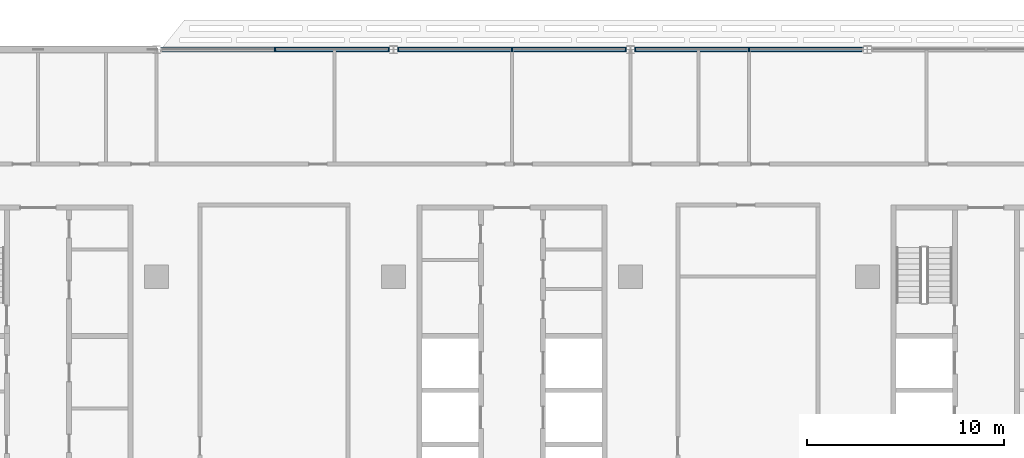
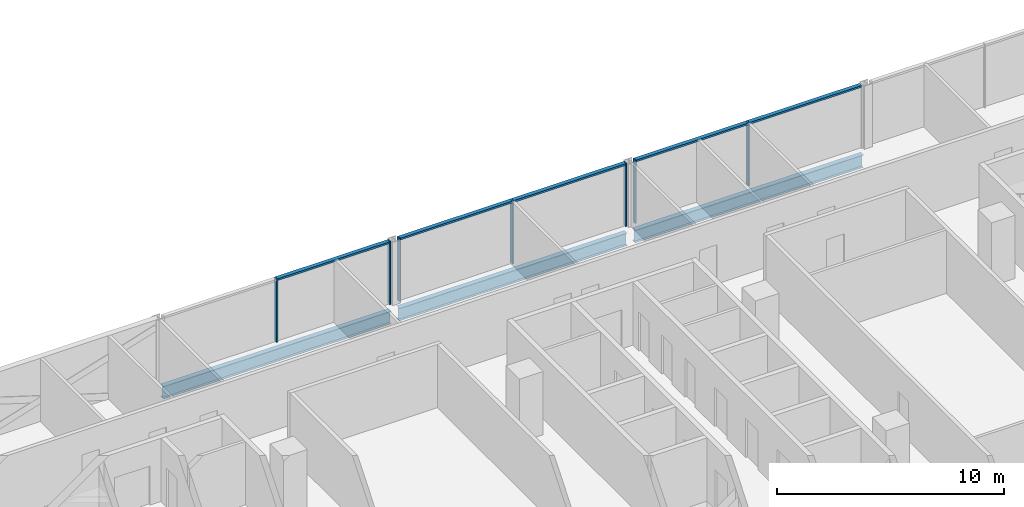
# One storey, part 7 of 28: 12 members, 3 beams, 3 elements without a shape of their own.
"""IFC4 building model written with IfcOpenShell, lengths in metres."""

from ifc_helpers import new_model, si_unit, direction, frame, origin, origin_2d, place, context, subcontext, project, spatial, rectangle, i_section, extrude, material, material_profile, profile_set, type_object, element, aggregate, save


model = new_model("IFC4")

# Units and contexts
model_context = context("Model", 3, precision=1e-05, world=origin(), true_north=direction((0.0, 1.0)))
body_context = subcontext(model_context, "Body", "Model", "MODEL_VIEW")
ifc_project = project(units=[si_unit("LENGTHUNIT", "METRE"), si_unit("AREAUNIT", "SQUARE_METRE"), si_unit("VOLUMEUNIT", "CUBIC_METRE"), si_unit("PLANEANGLEUNIT", "RADIAN"), si_unit("MASSUNIT", "GRAM", prefix="KILO")], contexts=[model_context])

# Site, building, storey
site_placement = place(None, origin())
site = spatial("IfcSite", under=ifc_project, at=site_placement, CompositionType="ELEMENT")
building_placement = place(site_placement, origin())
building = spatial("IfcBuilding", under=site, at=building_placement, Name="Mahtab Terrace Research Tower", CompositionType="ELEMENT")
storey_placement = place(building_placement, frame((0.0, 0.0, 185.800048828125)))
storey = spatial("IfcBuildingStorey", under=building, at=storey_placement, Name="L44", CompositionType="ELEMENT", Elevation=185.800048828125)

# Curtain wall, members
ifc_material_1 = material(Name="Laboratory ribbon curtain wall")
curtain_wall_type = type_object("IfcCurtainWallType", Name="Laboratory ribbon curtain wall", PredefinedType="NOTDEFINED", material=ifc_material_1)
curtain_wall_1_placement = place(storey_placement, origin())
curtain_wall_1 = element("IfcCurtainWall", 1, at=curtain_wall_1_placement, inside=storey, type_object=curtain_wall_type, Name="EN.L44.3.5", PredefinedType="NOTDEFINED")
ifc_material_2 = material(Name="Natural anodised aluminium", Category="aluminium")
ifc_material_profile_1 = material_profile(ifc_material_2, rectangle(XDim=0.199951171875, YDim=0.06494140625, at=origin_2d()), Name="MULLION 65x200")
ifc_profile_set_1 = profile_set([ifc_material_profile_1], Name="Natural anodised aluminium")
member_type_1 = type_object("IfcMemberType", Name="Laboratory ribbon curtain wall mullion", PredefinedType="MULLION", material=ifc_profile_set_1)
member_1_placement = place(storey_placement, frame((12.0, 23.0, 0.0), z_axis=(0.0, 0.0, 1.0), x_axis=(0.0, -1.0, 0.0)))
member_1 = element("IfcMember", 2, at=member_1_placement, type_object=member_type_1, Name="CWL-5 mullion 2", PredefinedType="MULLION", context=body_context, shape_type="SweptSolid", body=[
    extrude(rectangle(XDim=0.199951171875, YDim=0.06494140625, at=origin_2d()), origin(), (0.0, 0.0, 1.0), 3.39990234375),
])
member_2_placement = place(storey_placement, frame((6.240478515625, 23.0, 0.0), z_axis=(0.0, 0.0, 1.0), x_axis=(0.0, -1.0, 0.0)))
member_2 = element("IfcMember", 3, at=member_2_placement, type_object=member_type_1, Name="CWL-5 mullion 3", PredefinedType="MULLION", context=body_context, shape_type="SweptSolid", body=[
    extrude(rectangle(XDim=0.199951171875, YDim=0.06494140625, at=origin_2d()), origin(), (0.0, 0.0, 1.0), 3.39990234375),
])

curtain_wall_2_placement = place(storey_placement, origin())
curtain_wall_2 = element("IfcCurtainWall", 4, at=curtain_wall_2_placement, inside=storey, type_object=curtain_wall_type, Name="EN.L44.3.6", PredefinedType="NOTDEFINED")
member_3_placement = place(storey_placement, frame((5.759521484375, 23.0, 0.0), z_axis=(0.0, 0.0, 1.0), x_axis=(0.0, -1.0, 0.0)))
member_3 = element("IfcMember", 5, at=member_3_placement, type_object=member_type_1, Name="CWL-5 mullion 1", PredefinedType="MULLION", context=body_context, shape_type="SweptSolid", body=[
    extrude(rectangle(XDim=0.199951171875, YDim=0.06494140625, at=origin_2d()), origin(), (0.0, 0.0, 1.0), 3.39990234375),
])
member_4_placement = place(storey_placement, frame((0.0, 23.0, 0.0), z_axis=(0.0, 0.0, 1.0), x_axis=(0.0, -1.0, 0.0)))
member_4 = element("IfcMember", 6, at=member_4_placement, type_object=member_type_1, Name="CWL-5 mullion 2", PredefinedType="MULLION", context=body_context, shape_type="SweptSolid", body=[
    extrude(rectangle(XDim=0.199951171875, YDim=0.06494140625, at=origin_2d()), origin(), (0.0, 0.0, 1.0), 3.39990234375),
])
member_5_placement = place(storey_placement, frame((-5.759521484375, 23.0, 0.0), z_axis=(0.0, 0.0, 1.0), x_axis=(0.0, -1.0, 0.0)))
member_5 = element("IfcMember", 7, at=member_5_placement, type_object=member_type_1, Name="CWL-5 mullion 3", PredefinedType="MULLION", context=body_context, shape_type="SweptSolid", body=[
    extrude(rectangle(XDim=0.199951171875, YDim=0.06494140625, at=origin_2d()), origin(), (0.0, 0.0, 1.0), 3.39990234375),
])

curtain_wall_3_placement = place(storey_placement, origin())
curtain_wall_3 = element("IfcCurtainWall", 8, at=curtain_wall_3_placement, inside=storey, type_object=curtain_wall_type, Name="EN.L44.3.7", PredefinedType="NOTDEFINED")
member_6_placement = place(storey_placement, frame((-6.240478515625, 23.0, 0.0), z_axis=(0.0, 0.0, 1.0), x_axis=(0.0, -1.0, 0.0)))
member_6 = element("IfcMember", 9, at=member_6_placement, type_object=member_type_1, Name="CWL-5 mullion 1", PredefinedType="MULLION", context=body_context, shape_type="SweptSolid", body=[
    extrude(rectangle(XDim=0.199951171875, YDim=0.06494140625, at=origin_2d()), origin(), (0.0, 0.0, 1.0), 3.39990234375),
])
member_7_placement = place(storey_placement, frame((-12.0, 23.0, 0.0), z_axis=(0.0, 0.0, 1.0), x_axis=(0.0, -1.0, 0.0)))
member_7 = element("IfcMember", 10, at=member_7_placement, type_object=member_type_1, Name="CWL-5 mullion 2", PredefinedType="MULLION", context=body_context, shape_type="SweptSolid", body=[
    extrude(rectangle(XDim=0.199951171875, YDim=0.06494140625, at=origin_2d()), origin(), (0.0, 0.0, 1.0), 3.39990234375),
])

# Member
ifc_material_profile_2 = material_profile(ifc_material_2, rectangle(XDim=0.199951171875, YDim=0.10009765625, at=origin_2d()), Name="TRANSOM 100x200")
ifc_profile_set_2 = profile_set([ifc_material_profile_2], Name="Natural anodised aluminium")
member_type_2 = type_object("IfcMemberType", Name="Laboratory ribbon curtain wall transom", PredefinedType="USERDEFINED", material=ifc_profile_set_2)
member_8_placement = place(storey_placement, frame((17.72705078125, 23.0, 3.349853515625), z_axis=(-1.0, 0.0, 0.0), x_axis=(0.0, -1.0, 0.0)))
member_8 = element("IfcMember", 11, at=member_8_placement, type_object=member_type_2, Name="CWL-5 transom 1", ObjectType="TRANSOM", PredefinedType="USERDEFINED", context=body_context, shape_type="SweptSolid", body=[
    extrude(rectangle(XDim=0.199951171875, YDim=0.10009765625, at=origin_2d()), origin(), (0.0, 0.0, 1.0), 5.694580078125),
])

member_9_placement = place(storey_placement, frame((11.967529296875, 23.0, 3.349853515625), z_axis=(-1.0, 0.0, 0.0), x_axis=(0.0, -1.0, 0.0)))
member_9 = element("IfcMember", 12, at=member_9_placement, type_object=member_type_2, Name="CWL-5 transom 2", ObjectType="TRANSOM", PredefinedType="USERDEFINED", context=body_context, shape_type="SweptSolid", body=[
    extrude(rectangle(XDim=0.199951171875, YDim=0.10009765625, at=origin_2d()), origin(), (0.0, 0.0, 1.0), 5.694580078125),
])

aggregate(curtain_wall_1, [member_1, member_2, member_8, member_9])

member_10_placement = place(storey_placement, frame((5.72705078125, 23.0, 3.349853515625), z_axis=(-1.0, 0.0, 0.0), x_axis=(0.0, -1.0, 0.0)))
member_10 = element("IfcMember", 13, at=member_10_placement, type_object=member_type_2, Name="CWL-5 transom 1", ObjectType="TRANSOM", PredefinedType="USERDEFINED", context=body_context, shape_type="SweptSolid", body=[
    extrude(rectangle(XDim=0.199951171875, YDim=0.10009765625, at=origin_2d()), origin(), (0.0, 0.0, 1.0), 5.694580078125),
])

member_11_placement = place(storey_placement, frame((-0.032470703125, 23.0, 3.349853515625), z_axis=(-1.0, 0.0, 0.0), x_axis=(0.0, -1.0, 0.0)))
member_11 = element("IfcMember", 14, at=member_11_placement, type_object=member_type_2, Name="CWL-5 transom 2", ObjectType="TRANSOM", PredefinedType="USERDEFINED", context=body_context, shape_type="SweptSolid", body=[
    extrude(rectangle(XDim=0.199951171875, YDim=0.10009765625, at=origin_2d()), origin(), (0.0, 0.0, 1.0), 5.694580078125),
])

aggregate(curtain_wall_2, [member_3, member_4, member_5, member_10, member_11])

member_12_placement = place(storey_placement, frame((-6.27294921875, 23.0, 3.349853515625), z_axis=(-1.0, 0.0, 0.0), x_axis=(0.0, -1.0, 0.0)))
member_12 = element("IfcMember", 15, at=member_12_placement, type_object=member_type_2, Name="CWL-5 transom 1", ObjectType="TRANSOM", PredefinedType="USERDEFINED", context=body_context, shape_type="SweptSolid", body=[
    extrude(rectangle(XDim=0.199951171875, YDim=0.10009765625, at=origin_2d()), origin(), (0.0, 0.0, 1.0), 5.694580078125),
])

aggregate(curtain_wall_3, [member_6, member_7, member_12])

# Beams
ifc_material_3 = material(Name="Steel ASTM A992 Gr 50", Category="steel")
ifc_material_profile_3 = material_profile(ifc_material_3, i_section(OverallWidth=0.25390625, OverallDepth=0.67822265625, WebThickness=0.01171875, FlangeThickness=0.016357421875, at=origin_2d()), Name="W27X84")
ifc_profile_set_3 = profile_set([ifc_material_profile_3], Name="Steel ASTM A992 Gr 50")
beam_type = type_object("IfcBeamType", Name="W27x84 beam BS2784", PredefinedType="BEAM", material=ifc_profile_set_3)
for number, where, z_axis, x_axis, name in (
    (16, (17.796875, 23.0, -0.67919921875), (-1.0, 0.0, 0.0), (0.0, -1.0, 0.0), "Spandrel beam L44 03"),
    (17, (5.796875, 23.0, -0.67919921875), (-1.0, 0.0, 0.0), (0.0, -1.0, 0.0), "Spandrel beam L44 04"),
    (18, (-6.203125, 23.0, -0.67919921875), (-1.0, 0.0, 0.0), (0.0, -1.0, 0.0), "Spandrel beam L44 05"),
):
    element("IfcBeam", number, at=place(storey_placement, frame(where, z_axis=z_axis, x_axis=x_axis)), inside=storey, type_object=beam_type, Name=name, PredefinedType="BEAM", context=body_context, shape_type="SweptSolid", body=[
        extrude(i_section(OverallWidth=0.25390625, OverallDepth=0.67822265625, WebThickness=0.01171875, FlangeThickness=0.016357421875, at=origin_2d()), origin(), (0.0, 0.0, 1.0), 11.59375),
    ])

save(model, "model.ifc")
